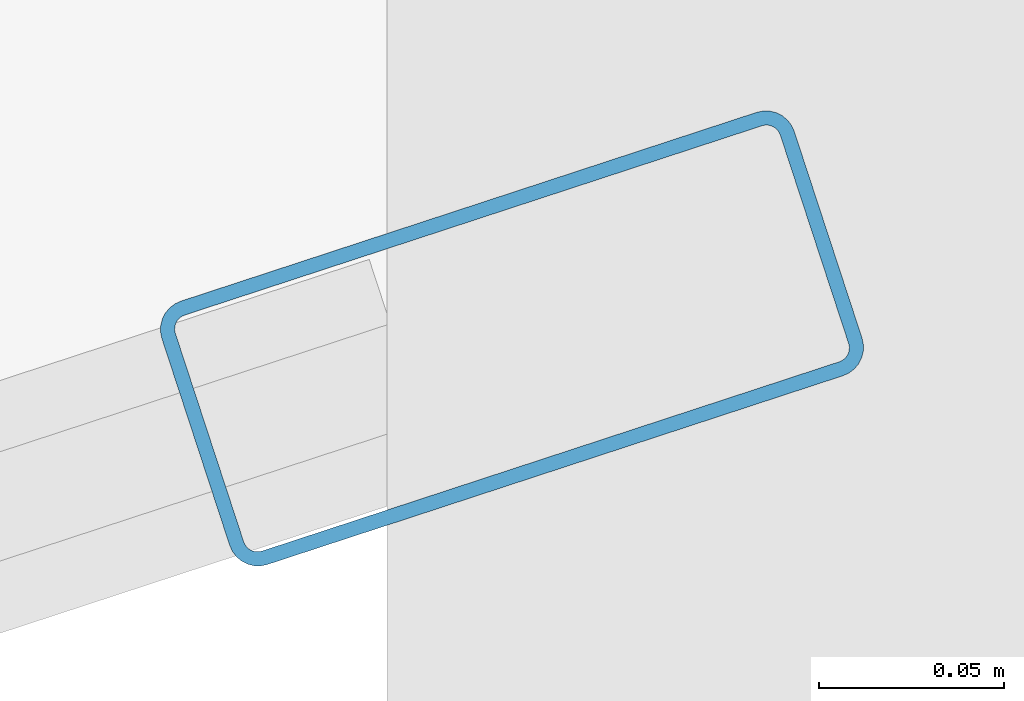
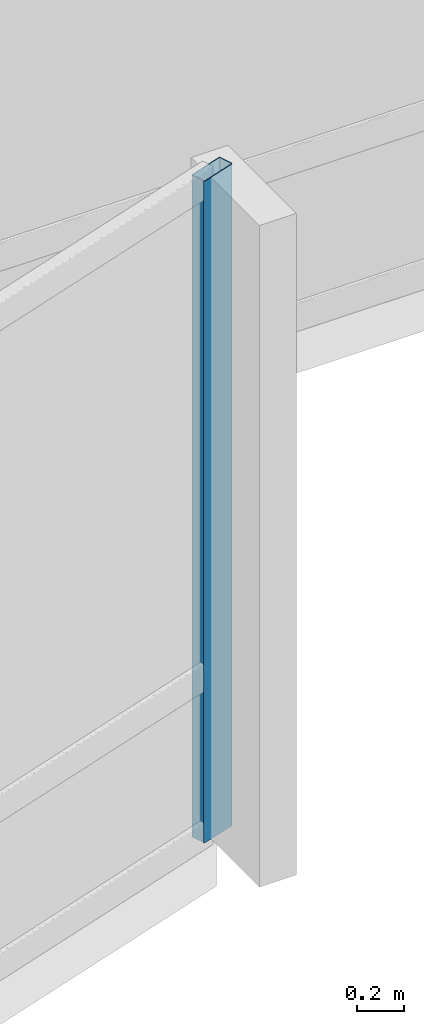
# One storey, part 10 of 34: 1 member, 1 element without a shape of its own.
"""IFC4 building model written with IfcOpenShell, lengths in metres."""

from ifc_helpers import new_model, si_unit, direction, frame, origin, origin_2d, place, context, subcontext, project, spatial, hollow_rectangle, extrude, material, layer, layer_set, material_profile, profile_set, type_object, element, aggregate, save


model = new_model("IFC4")

# Units and contexts
model_context = context("Model", 3, precision=1e-05, world=origin(), true_north=direction((0.0, 1.0)))
body_context = subcontext(model_context, "Body", "Model", "MODEL_VIEW")
ifc_project = project(units=[si_unit("LENGTHUNIT", "METRE"), si_unit("AREAUNIT", "SQUARE_METRE"), si_unit("VOLUMEUNIT", "CUBIC_METRE"), si_unit("PLANEANGLEUNIT", "RADIAN"), si_unit("MASSUNIT", "GRAM", prefix="KILO")], contexts=[model_context])

# Site, building, storey
site_placement = place(None, origin())
site = spatial("IfcSite", under=ifc_project, at=site_placement, CompositionType="ELEMENT")
building_placement = place(site_placement, origin())
building = spatial("IfcBuilding", under=site, at=building_placement, Name="Solvaryn Broadcast Tower", CompositionType="ELEMENT")
storey_placement = place(building_placement, frame((0.0, 0.0, 65.60009765625)))
storey = spatial("IfcBuildingStorey", under=building, at=storey_placement, Name="L15", CompositionType="ELEMENT", Elevation=65.60009765625)

# Curtain wall, member
ifc_material_1 = material(Name="Aluminium and Terracotta Unitised Curtain Wall", Category="masonry")
ifc_layer = layer(ifc_material_1, 0.199951171875)
ifc_layer_set = layer_set([ifc_layer], Name="CW-SYS2-LOWMID")
curtain_wall_type = type_object("IfcCurtainWallType", Name="CW-SYS2-LOWMID", PredefinedType="NOTDEFINED", material=ifc_layer_set)
curtain_wall_placement = place(storey_placement, origin())
curtain_wall = element("IfcCurtainWall", 1, at=curtain_wall_placement, inside=storey, type_object=curtain_wall_type, Name="L15 Curtain Wall DR4", PredefinedType="NOTDEFINED")
ifc_material_2 = material(Name="Anodised Aluminium 6063-T6", Category="aluminium")
ifc_material_profile = material_profile(ifc_material_2, hollow_rectangle(XDim=0.074951171875, YDim=0.179931640625, WallThickness=0.00390625, InnerFilletRadius=0.00390625, OuterFilletRadius=0.008056640625, at=origin_2d()))
ifc_profile_set = profile_set([ifc_material_profile], Name="Anodised Aluminium 6063-T6")
member_type = type_object("IfcMemberType", Name="CW-MUL-180", PredefinedType="MULLION", material=ifc_profile_set)
member_placement = place(storey_placement, frame((45.987548828125, 5.90673828125, 0.0), z_axis=(0.0, 0.0, 1.0), x_axis=(-0.311594044587, 0.950215318429, 0.0)))
member = element("IfcMember", 2, at=member_placement, type_object=member_type, Name="CWS2 mullion 2", PredefinedType="MULLION", context=body_context, shape_type="SweptSolid", body=[
    extrude(hollow_rectangle(XDim=0.074951171875, YDim=0.179931640625, WallThickness=0.00390625, InnerFilletRadius=0.00390625, OuterFilletRadius=0.008056640625, at=origin_2d()), origin(), (0.0, 0.0, 1.0), 3.419921875),
])
aggregate(curtain_wall, [member])

save(model, "model.ifc")
